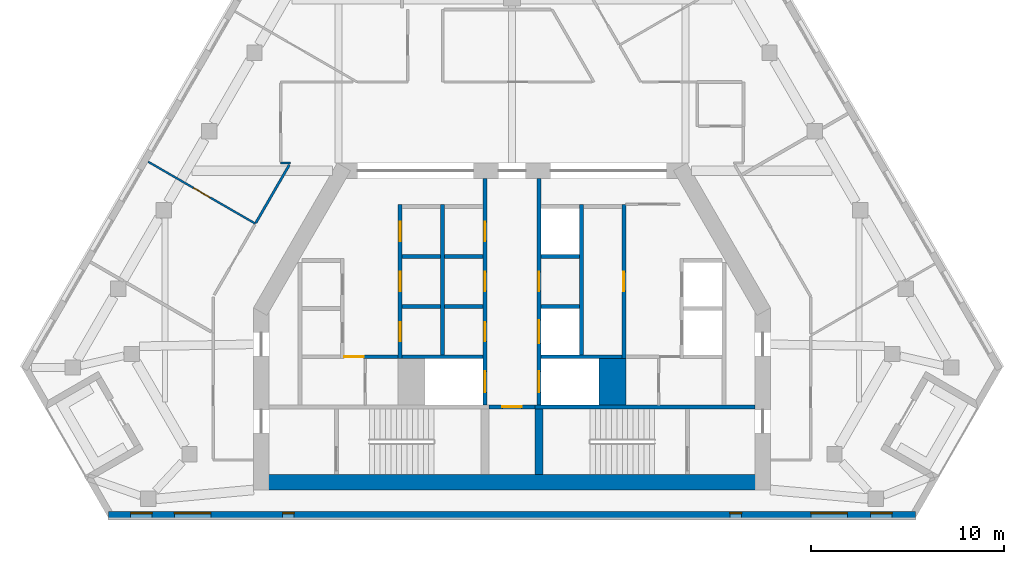
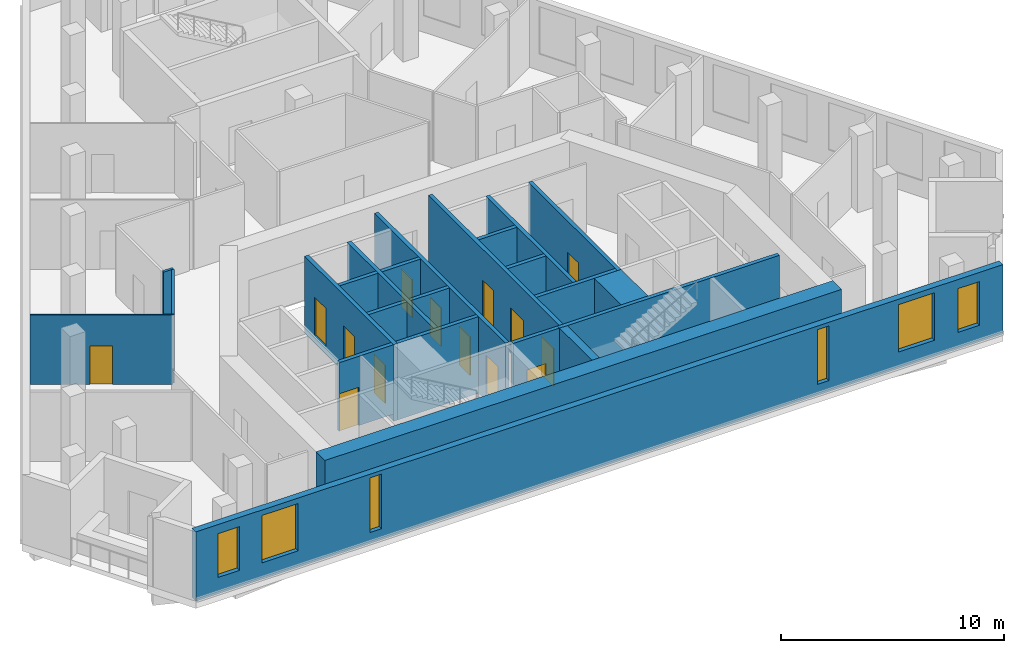
# One storey, part 3 of 9: 24 walls, 14 doors, 6 windows, 20 openings.
"""IFC4 building model written with IfcOpenShell, lengths in metres."""

from ifc_helpers import new_model, si_unit, direction, frame, frame_2d, origin, place, context, subcontext, project, spatial, rectangle, extrude, material, layer, layer_set, type_object, element, fill, save


model = new_model("IFC4")

# Units and contexts
model_context = context("Model", 3, precision=1e-05, world=origin(), true_north=direction((0.0, 1.0)))
body_context = subcontext(model_context, "Body", "Model", "MODEL_VIEW")
ifc_project = project(units=[si_unit("LENGTHUNIT", "METRE"), si_unit("AREAUNIT", "SQUARE_METRE"), si_unit("VOLUMEUNIT", "CUBIC_METRE"), si_unit("PLANEANGLEUNIT", "RADIAN"), si_unit("MASSUNIT", "GRAM", prefix="KILO")], contexts=[model_context])

# Site, building, storey
site_placement = place(None, origin())
site = spatial("IfcSite", under=ifc_project, at=site_placement, CompositionType="ELEMENT")
building_placement = place(site_placement, origin())
building = spatial("IfcBuilding", under=site, at=building_placement, Name="Fogline Exchange Tower", CompositionType="ELEMENT")
storey_placement = place(building_placement, frame((0.0, 0.0, 283.5)))
storey = spatial("IfcBuildingStorey", under=building, at=storey_placement, Name="L64", CompositionType="ELEMENT", Elevation=283.5)

# Walls
ifc_material_1 = material(Name="Concrete C60", Category="concrete")
ifc_layer_1 = layer(ifc_material_1, 1.39990234375)
ifc_layer_set_1 = layer_set([ifc_layer_1], Name="CW140")
wall_type_1 = type_object("IfcWallType", Name="CW140", PredefinedType="SOLIDWALL", material=ifc_layer_set_1)
wall_1_placement = place(storey_placement, frame((5.199951171875, 5.85009765625, -0.39990234375), z_axis=(0.0, 0.0, 1.0), x_axis=(0.0, 1.0, 0.0)))
element("IfcWall", 1, at=wall_1_placement, inside=storey, type_object=wall_type_1, Name="Lift shaft block wall", PredefinedType="SOLIDWALL", context=body_context, shape_type="SweptSolid", body=[
    extrude(rectangle(XDim=2.39990234375, YDim=1.39990234375, at=frame_2d((1.199951171875, 0.0))), origin(), (0.0, 0.0, 1.0), 4.199951171875),
])
ifc_material_2 = material(Name="Concrete C40", Category="concrete")
ifc_layer_2 = layer(ifc_material_2, 0.199951171875)
ifc_layer_set_2 = layer_set([ifc_layer_2], Name="CW20")
wall_type_2 = type_object("IfcWallType", Name="CW20", PredefinedType="SOLIDWALL", material=ifc_layer_set_2)
for number, where, z_axis, x_axis, name in (
    (2, (-5.699951171875, 10.949951171875, 0.0), (0.0, 0.0, 1.0), (1.0, 0.0, 0.0), "Service room wall"),
    (3, (-5.699951171875, 13.550048828125, 0.0), (0.0, 0.0, 1.0), (1.0, 0.0, 0.0), "Service room wall"),
    (4, (-3.5, 10.949951171875, 0.0), (0.0, 0.0, 1.0), (1.0, 0.0, 0.0), "Service room wall"),
    (5, (-3.5, 13.550048828125, 0.0), (0.0, 0.0, 1.0), (1.0, 0.0, 0.0), "Service room wall"),
):
    element("IfcWall", number, at=place(storey_placement, frame(where, z_axis=z_axis, x_axis=x_axis)), inside=storey, type_object=wall_type_2, Name=name, PredefinedType="SOLIDWALL", context=body_context, shape_type="SweptSolid", body=[
        extrude(rectangle(XDim=2.0, YDim=0.199951171875, at=frame_2d((1.0, 0.0))), origin(), (0.0, 0.0, 1.0), 3.800048828125),
    ])

# Wall, opening, door
wall_2_placement = place(storey_placement, frame((-8.699951171875, 8.35009765625, 0.0), z_axis=(0.0, 0.0, 1.0), x_axis=(1.0, 0.0, 0.0)))
wall_2 = element("IfcWall", 6, at=wall_2_placement, inside=storey, type_object=wall_type_2, Name="WC wall", PredefinedType="SOLIDWALL", context=body_context, shape_type="SweptSolid", body=[
    extrude(rectangle(XDim=2.800048828125, YDim=0.199951171875, at=frame_2d((1.39990234375, 0.0))), origin(), (0.0, 0.0, 1.0), 3.800048828125),
])
opening_1_placement = place(wall_2_placement, origin())
opening_1 = element("IfcOpeningElement", 7, at=opening_1_placement, cuts=wall_2, Name="Opening T20-C012", PredefinedType="OPENING", context=body_context, shape_type="SweptSolid", body=[
    extrude(rectangle(XDim=1.0, YDim=2.10009765625, at=frame_2d((0.5, 1.050048828125))), frame((0.0, 0.10986328125, 0.0), z_axis=(0.0, -1.0, 0.0), x_axis=(1.0, 0.0, 0.0)), (0.0, 0.0, 1.0), 0.219970703125),
])
ifc_material_3 = material(Name="Steel and timber fire door", Category="steel")
door_type_1 = type_object("IfcDoorType", Name="D-WC1", OperationType="SINGLE_SWING_LEFT", PredefinedType="DOOR", material=ifc_material_3)
door_1_placement = place(opening_1_placement, frame((1.0, 0.0, 0.0), z_axis=(0.0, 0.0, 1.0), x_axis=(-1.0, 0.0, 0.0)))
door_1 = element("IfcDoor", 8, at=door_1_placement, inside=storey, type_object=door_type_1, Name="Door to Men's WC", OperationType="SINGLE_SWING_LEFT", OverallHeight=2.10009765625, OverallWidth=1.0, PredefinedType="DOOR", context=body_context, shape_type="SweptSolid", body=[
    extrude(rectangle(XDim=1.0, YDim=2.10009765625, at=frame_2d((0.5, 1.050048828125))), frame((0.0, 0.02490234375, 0.0), z_axis=(0.0, -1.0, 0.0), x_axis=(1.0, 0.0, 0.0)), (0.0, 0.0, 1.0), 0.050048828125),
])
fill(opening_1, door_1)

ifc_layer_3 = layer(ifc_material_2, 0.199951171875)
ifc_layer_set_3 = layer_set([ifc_layer_3], Name="CW20R")
wall_type_3 = type_object("IfcWallType", Name="CW20R", PredefinedType="SOLIDWALL", material=ifc_layer_set_3)
wall_3_placement = place(storey_placement, frame((-1.199951171875, 5.75, -0.39990234375), z_axis=(0.0, 0.0, 1.0), x_axis=(1.0, 0.0, 0.0)))
wall_3 = element("IfcWall", 9, at=wall_3_placement, inside=storey, type_object=wall_type_3, Name="Stair enclosure wall", PredefinedType="SOLIDWALL", context=body_context, shape_type="SweptSolid", body=[
    extrude(rectangle(XDim=2.39990234375, YDim=0.199951171875, at=frame_2d((1.199951171875, 0.0))), origin(), (0.0, 0.0, 1.0), 4.199951171875),
])
opening_2_placement = place(wall_3_placement, frame((0.699951171875, 0.0, 0.39990234375)))
opening_2 = element("IfcOpeningElement", 10, at=opening_2_placement, cuts=wall_3, Name="Opening T20-C011", PredefinedType="OPENING", context=body_context, shape_type="SweptSolid", body=[
    extrude(rectangle(XDim=1.0, YDim=2.10009765625, at=frame_2d((0.5, 1.050048828125))), frame((0.0, 0.10986328125, 0.0), z_axis=(0.0, -1.0, 0.0), x_axis=(1.0, 0.0, 0.0)), (0.0, 0.0, 1.0), 0.219970703125),
])
door_type_2 = type_object("IfcDoorType", Name="D-RM1", OperationType="SINGLE_SWING_LEFT", PredefinedType="DOOR", material=ifc_material_3)
door_2_placement = place(opening_2_placement, frame((1.0, 0.0, 0.0), z_axis=(0.0, 0.0, 1.0), x_axis=(-1.0, 0.0, 0.0)))
door_2 = element("IfcDoor", 11, at=door_2_placement, inside=storey, type_object=door_type_2, Name="Door to Library Store", OperationType="SINGLE_SWING_RIGHT", OverallHeight=2.10009765625, OverallWidth=1.0, PredefinedType="DOOR", context=body_context, shape_type="SweptSolid", body=[
    extrude(rectangle(XDim=1.0, YDim=2.10009765625, at=frame_2d((0.5, 1.050048828125))), frame((0.0, 0.02490234375, 0.0), z_axis=(0.0, -1.0, 0.0), x_axis=(1.0, 0.0, 0.0)), (0.0, 0.0, 1.0), 0.050048828125),
])
fill(opening_2, door_2)

# Wall
wall_4_placement = place(storey_placement, frame((1.199951171875, 5.75, -0.39990234375), z_axis=(0.0, 0.0, 1.0), x_axis=(1.0, 0.0, 0.0)))
element("IfcWall", 12, at=wall_4_placement, inside=storey, type_object=wall_type_3, Name="Stair enclosure wall", PredefinedType="SOLIDWALL", context=body_context, shape_type="SweptSolid", body=[
    extrude(rectangle(XDim=11.400146484375, YDim=0.199951171875, at=frame_2d((5.7001953125, 0.0))), origin(), (0.0, 0.0, 1.0), 4.199951171875),
])

# Wall, openings, doors
ifc_layer_4 = layer(ifc_material_2, 0.199951171875)
ifc_layer_set_4 = layer_set([ifc_layer_4], Name="CW20S")
wall_type_4 = type_object("IfcWallType", Name="CW20S", PredefinedType="SOLIDWALL", material=ifc_layer_set_4)
wall_5_placement = place(storey_placement, frame((-5.800048828125, 8.25, -0.39990234375), z_axis=(0.0, 0.0, 1.0), x_axis=(0.0, 1.0, 0.0)))
wall_5 = element("IfcWall", 13, at=wall_5_placement, inside=storey, type_object=wall_type_4, Name="Lift shaft wall", PredefinedType="SOLIDWALL", context=body_context, shape_type="SweptSolid", body=[
    extrude(rectangle(XDim=8.0, YDim=0.199951171875, at=frame_2d((4.0, 0.0))), origin(), (0.0, 0.0, 1.0), 4.199951171875),
])
opening_3_placement = place(wall_5_placement, frame((0.89990234375, 0.0, 0.39990234375)))
opening_3 = element("IfcOpeningElement", 14, at=opening_3_placement, cuts=wall_5, Name="Opening T20-C003", PredefinedType="OPENING", context=body_context, shape_type="SweptSolid", body=[
    extrude(rectangle(XDim=1.0, YDim=2.10009765625, at=frame_2d((0.5, 1.050048828125))), frame((0.0, 0.10986328125, 0.0), z_axis=(0.0, -1.0, 0.0), x_axis=(1.0, 0.0, 0.0)), (0.0, 0.0, 1.0), 0.219970703125),
])
opening_4_placement = place(wall_5_placement, frame((3.5, 0.0, 0.39990234375)))
opening_4 = element("IfcOpeningElement", 15, at=opening_4_placement, cuts=wall_5, Name="Opening T20-C004", PredefinedType="OPENING", context=body_context, shape_type="SweptSolid", body=[
    extrude(rectangle(XDim=1.0, YDim=2.10009765625, at=frame_2d((0.5, 1.050048828125))), frame((0.0, 0.10986328125, 0.0), z_axis=(0.0, -1.0, 0.0), x_axis=(1.0, 0.0, 0.0)), (0.0, 0.0, 1.0), 0.219970703125),
])
opening_5_placement = place(wall_5_placement, frame((6.10009765625, 0.0, 0.39990234375)))
opening_5 = element("IfcOpeningElement", 16, at=opening_5_placement, cuts=wall_5, Name="Opening T20-C005", PredefinedType="OPENING", context=body_context, shape_type="SweptSolid", body=[
    extrude(rectangle(XDim=1.0, YDim=2.10009765625, at=frame_2d((0.5, 1.050048828125))), frame((0.0, 0.10986328125, 0.0), z_axis=(0.0, -1.0, 0.0), x_axis=(1.0, 0.0, 0.0)), (0.0, 0.0, 1.0), 0.219970703125),
])
door_3_placement = place(opening_3_placement, frame((1.0, 0.0, 0.0), z_axis=(0.0, 0.0, 1.0), x_axis=(-1.0, 0.0, 0.0)))
door_3 = element("IfcDoor", 17, at=door_3_placement, inside=storey, type_object=door_type_2, Name="Door to Cable Store", OperationType="SINGLE_SWING_LEFT", OverallHeight=2.10009765625, OverallWidth=1.0, PredefinedType="DOOR", context=body_context, shape_type="SweptSolid", body=[
    extrude(rectangle(XDim=1.0, YDim=2.10009765625, at=frame_2d((0.5, 1.050048828125))), frame((0.0, 0.02490234375, 0.0), z_axis=(0.0, -1.0, 0.0), x_axis=(1.0, 0.0, 0.0)), (0.0, 0.0, 1.0), 0.050048828125),
])
fill(opening_3, door_3)
door_4_placement = place(opening_4_placement, frame((1.0, 0.0, 0.0), z_axis=(0.0, 0.0, 1.0), x_axis=(-1.0, 0.0, 0.0)))
door_4 = element("IfcDoor", 18, at=door_4_placement, inside=storey, type_object=door_type_2, Name="Door to Server Room", OperationType="SINGLE_SWING_RIGHT", OverallHeight=2.10009765625, OverallWidth=1.0, PredefinedType="DOOR", context=body_context, shape_type="SweptSolid", body=[
    extrude(rectangle(XDim=1.0, YDim=2.10009765625, at=frame_2d((0.5, 1.050048828125))), frame((0.0, 0.02490234375, 0.0), z_axis=(0.0, -1.0, 0.0), x_axis=(1.0, 0.0, 0.0)), (0.0, 0.0, 1.0), 0.050048828125),
])
fill(opening_4, door_4)
door_5_placement = place(opening_5_placement, frame((1.0, 0.0, 0.0), z_axis=(0.0, 0.0, 1.0), x_axis=(-1.0, 0.0, 0.0)))
door_5 = element("IfcDoor", 19, at=door_5_placement, inside=storey, type_object=door_type_2, Name="Door to Archive Store", OperationType="SINGLE_SWING_RIGHT", OverallHeight=2.10009765625, OverallWidth=1.0, PredefinedType="DOOR", context=body_context, shape_type="SweptSolid", body=[
    extrude(rectangle(XDim=1.0, YDim=2.10009765625, at=frame_2d((0.5, 1.050048828125))), frame((0.0, 0.02490234375, 0.0), z_axis=(0.0, -1.0, 0.0), x_axis=(1.0, 0.0, 0.0)), (0.0, 0.0, 1.0), 0.050048828125),
])
fill(opening_5, door_5)

# Wall, opening, door
wall_6_placement = place(storey_placement, frame((5.800048828125, 8.25, -0.39990234375), z_axis=(0.0, 0.0, 1.0), x_axis=(0.0, 1.0, 0.0)))
wall_6 = element("IfcWall", 20, at=wall_6_placement, inside=storey, type_object=wall_type_4, Name="Lift shaft wall", PredefinedType="SOLIDWALL", context=body_context, shape_type="SweptSolid", body=[
    extrude(rectangle(XDim=8.0, YDim=0.199951171875, at=frame_2d((4.0, 0.0))), origin(), (0.0, 0.0, 1.0), 4.199951171875),
])
opening_6_placement = place(wall_6_placement, frame((3.5, 0.0, 0.39990234375)))
opening_6 = element("IfcOpeningElement", 21, at=opening_6_placement, cuts=wall_6, Name="Opening T20-C009", PredefinedType="OPENING", context=body_context, shape_type="SweptSolid", body=[
    extrude(rectangle(XDim=1.0, YDim=2.10009765625, at=frame_2d((0.5, 1.050048828125))), frame((0.0, 0.10986328125, 0.0), z_axis=(0.0, -1.0, 0.0), x_axis=(1.0, 0.0, 0.0)), (0.0, 0.0, 1.0), 0.219970703125),
])
door_6_placement = place(opening_6_placement, origin())
door_6 = element("IfcDoor", 22, at=door_6_placement, inside=storey, type_object=door_type_2, Name="Door to Pantry", OperationType="SINGLE_SWING_LEFT", OverallHeight=2.10009765625, OverallWidth=1.0, PredefinedType="DOOR", context=body_context, shape_type="SweptSolid", body=[
    extrude(rectangle(XDim=1.0, YDim=2.10009765625, at=frame_2d((0.5, 1.050048828125))), frame((0.0, 0.02490234375, 0.0), z_axis=(0.0, -1.0, 0.0), x_axis=(1.0, 0.0, 0.0)), (0.0, 0.0, 1.0), 0.050048828125),
])
fill(opening_6, door_6)

# Walls
for number, where, z_axis, x_axis, name in (
    (23, (-3.60009765625, 8.449951171875, -0.39990234375), (0.0, 0.0, 1.0), (0.0, 1.0, 0.0), "Lift shaft wall"),
    (24, (3.60009765625, 8.449951171875, -0.39990234375), (0.0, 0.0, 1.0), (0.0, 1.0, 0.0), "Lift shaft wall"),
):
    element("IfcWall", number, at=place(storey_placement, frame(where, z_axis=z_axis, x_axis=x_axis)), inside=storey, type_object=wall_type_4, Name=name, PredefinedType="SOLIDWALL", context=body_context, shape_type="SweptSolid", body=[
        extrude(rectangle(XDim=7.800048828125, YDim=0.199951171875, at=frame_2d((3.89990234375, 0.0))), origin(), (0.0, 0.0, 1.0), 4.199951171875),
    ])

# Wall, openings, doors
wall_7_placement = place(storey_placement, frame((-1.39990234375, 5.85009765625, -0.39990234375), z_axis=(0.0, 0.0, 1.0), x_axis=(0.0, 1.0, 0.0)))
wall_7 = element("IfcWall", 25, at=wall_7_placement, inside=storey, type_object=wall_type_4, Name="Lift lobby wall", PredefinedType="SOLIDWALL", context=body_context, shape_type="SweptSolid", body=[
    extrude(rectangle(XDim=11.75, YDim=0.199951171875, at=frame_2d((5.875, 0.0))), origin(), (0.0, 0.0, 1.0), 4.199951171875),
])
opening_7_placement = place(wall_7_placement, frame((0.64990234375, 0.0, 0.39990234375)))
opening_7 = element("IfcOpeningElement", 26, at=opening_7_placement, cuts=wall_7, Name="Opening T20-LD01", PredefinedType="OPENING", context=body_context, shape_type="SweptSolid", body=[
    extrude(rectangle(XDim=1.10009765625, YDim=2.10009765625, at=frame_2d((0.550048828125, 1.050048828125))), frame((0.0, 0.10986328125, 0.0), z_axis=(0.0, -1.0, 0.0), x_axis=(1.0, 0.0, 0.0)), (0.0, 0.0, 1.0), 0.219970703125),
])
opening_8_placement = place(wall_7_placement, frame((3.300048828125, 0.0, 0.39990234375)))
opening_8 = element("IfcOpeningElement", 27, at=opening_8_placement, cuts=wall_7, Name="Opening T20-C006", PredefinedType="OPENING", context=body_context, shape_type="SweptSolid", body=[
    extrude(rectangle(XDim=1.0, YDim=2.10009765625, at=frame_2d((0.5, 1.050048828125))), frame((0.0, 0.10986328125, 0.0), z_axis=(0.0, -1.0, 0.0), x_axis=(1.0, 0.0, 0.0)), (0.0, 0.0, 1.0), 0.219970703125),
])
opening_9_placement = place(wall_7_placement, frame((5.89990234375, 0.0, 0.39990234375)))
opening_9 = element("IfcOpeningElement", 28, at=opening_9_placement, cuts=wall_7, Name="Opening T20-C007", PredefinedType="OPENING", context=body_context, shape_type="SweptSolid", body=[
    extrude(rectangle(XDim=1.0, YDim=2.10009765625, at=frame_2d((0.5, 1.050048828125))), frame((0.0, 0.10986328125, 0.0), z_axis=(0.0, -1.0, 0.0), x_axis=(1.0, 0.0, 0.0)), (0.0, 0.0, 1.0), 0.219970703125),
])
opening_10_placement = place(wall_7_placement, frame((8.5, 0.0, 0.39990234375)))
opening_10 = element("IfcOpeningElement", 29, at=opening_10_placement, cuts=wall_7, Name="Opening T20-C008", PredefinedType="OPENING", context=body_context, shape_type="SweptSolid", body=[
    extrude(rectangle(XDim=1.0, YDim=2.10009765625, at=frame_2d((0.5, 1.050048828125))), frame((0.0, 0.10986328125, 0.0), z_axis=(0.0, -1.0, 0.0), x_axis=(1.0, 0.0, 0.0)), (0.0, 0.0, 1.0), 0.219970703125),
])
door_7_placement = place(opening_8_placement, origin())
door_7 = element("IfcDoor", 30, at=door_7_placement, inside=storey, type_object=door_type_2, Name="Door to Library Store", OperationType="SINGLE_SWING_LEFT", OverallHeight=2.10009765625, OverallWidth=1.0, PredefinedType="DOOR", context=body_context, shape_type="SweptSolid", body=[
    extrude(rectangle(XDim=1.0, YDim=2.10009765625, at=frame_2d((0.5, 1.050048828125))), frame((0.0, 0.02490234375, 0.0), z_axis=(0.0, -1.0, 0.0), x_axis=(1.0, 0.0, 0.0)), (0.0, 0.0, 1.0), 0.050048828125),
])
fill(opening_8, door_7)
door_8_placement = place(opening_9_placement, origin())
door_8 = element("IfcDoor", 31, at=door_8_placement, inside=storey, type_object=door_type_2, Name="Door to Stationery Store", OperationType="SINGLE_SWING_LEFT", OverallHeight=2.10009765625, OverallWidth=1.0, PredefinedType="DOOR", context=body_context, shape_type="SweptSolid", body=[
    extrude(rectangle(XDim=1.0, YDim=2.10009765625, at=frame_2d((0.5, 1.050048828125))), frame((0.0, 0.02490234375, 0.0), z_axis=(0.0, -1.0, 0.0), x_axis=(1.0, 0.0, 0.0)), (0.0, 0.0, 1.0), 0.050048828125),
])
fill(opening_9, door_8)
door_9_placement = place(opening_10_placement, origin())
door_9 = element("IfcDoor", 32, at=door_9_placement, inside=storey, type_object=door_type_2, Name="Door to Records Store", OperationType="SINGLE_SWING_LEFT", OverallHeight=2.10009765625, OverallWidth=1.0, PredefinedType="DOOR", context=body_context, shape_type="SweptSolid", body=[
    extrude(rectangle(XDim=1.0, YDim=2.10009765625, at=frame_2d((0.5, 1.050048828125))), frame((0.0, 0.02490234375, 0.0), z_axis=(0.0, -1.0, 0.0), x_axis=(1.0, 0.0, 0.0)), (0.0, 0.0, 1.0), 0.050048828125),
])
fill(opening_10, door_9)
door_type_3 = type_object("IfcDoorType", Name="LD2", OperationType="SLIDING_TO_RIGHT", PredefinedType="DOOR", material=ifc_material_3)
door_10_placement = place(opening_7_placement, origin())
door_10 = element("IfcDoor", 33, at=door_10_placement, inside=storey, type_object=door_type_3, Name="Landing door FF1", OperationType="SLIDING_TO_RIGHT", OverallHeight=2.10009765625, OverallWidth=1.10009765625, PredefinedType="DOOR", context=body_context, shape_type="SweptSolid", body=[
    extrude(rectangle(XDim=1.10009765625, YDim=2.10009765625, at=frame_2d((0.550048828125, 1.050048828125))), frame((0.0, 0.02490234375, 0.0), z_axis=(0.0, -1.0, 0.0), x_axis=(1.0, 0.0, 0.0)), (0.0, 0.0, 1.0), 0.050048828125),
])
fill(opening_7, door_10)

wall_8_placement = place(storey_placement, frame((1.39990234375, 5.85009765625, -0.39990234375), z_axis=(0.0, 0.0, 1.0), x_axis=(0.0, 1.0, 0.0)))
wall_8 = element("IfcWall", 34, at=wall_8_placement, inside=storey, type_object=wall_type_4, Name="Lift lobby wall", PredefinedType="SOLIDWALL", context=body_context, shape_type="SweptSolid", body=[
    extrude(rectangle(XDim=11.75, YDim=0.199951171875, at=frame_2d((5.875, 0.0))), origin(), (0.0, 0.0, 1.0), 4.199951171875),
])
opening_11_placement = place(wall_8_placement, frame((3.199951171875, 0.0, 0.39990234375)))
opening_11 = element("IfcOpeningElement", 35, at=opening_11_placement, cuts=wall_8, Name="Opening T20-LD04", PredefinedType="OPENING", context=body_context, shape_type="SweptSolid", body=[
    extrude(rectangle(XDim=1.199951171875, YDim=2.10009765625, at=frame_2d((0.60009765625, 1.050048828125))), frame((0.0, 0.10986328125, 0.0), z_axis=(0.0, -1.0, 0.0), x_axis=(1.0, 0.0, 0.0)), (0.0, 0.0, 1.0), 0.219970703125),
])
opening_12_placement = place(wall_8_placement, frame((0.64990234375, 0.0, 0.39990234375)))
opening_12 = element("IfcOpeningElement", 36, at=opening_12_placement, cuts=wall_8, Name="Opening T20-LD05", PredefinedType="OPENING", context=body_context, shape_type="SweptSolid", body=[
    extrude(rectangle(XDim=1.10009765625, YDim=2.10009765625, at=frame_2d((0.550048828125, 1.050048828125))), frame((0.0, 0.10986328125, 0.0), z_axis=(0.0, -1.0, 0.0), x_axis=(1.0, 0.0, 0.0)), (0.0, 0.0, 1.0), 0.219970703125),
])
opening_13_placement = place(wall_8_placement, frame((5.89990234375, 0.0, 0.39990234375)))
opening_13 = element("IfcOpeningElement", 37, at=opening_13_placement, cuts=wall_8, Name="Opening T20-C010", PredefinedType="OPENING", context=body_context, shape_type="SweptSolid", body=[
    extrude(rectangle(XDim=1.0, YDim=2.10009765625, at=frame_2d((0.5, 1.050048828125))), frame((0.0, 0.10986328125, 0.0), z_axis=(0.0, -1.0, 0.0), x_axis=(1.0, 0.0, 0.0)), (0.0, 0.0, 1.0), 0.219970703125),
])
door_11_placement = place(opening_13_placement, frame((1.0, 0.0, 0.0), z_axis=(0.0, 0.0, 1.0), x_axis=(-1.0, 0.0, 0.0)))
door_11 = element("IfcDoor", 38, at=door_11_placement, inside=storey, type_object=door_type_2, Name="Door to Archive Store", OperationType="SINGLE_SWING_RIGHT", OverallHeight=2.10009765625, OverallWidth=1.0, PredefinedType="DOOR", context=body_context, shape_type="SweptSolid", body=[
    extrude(rectangle(XDim=1.0, YDim=2.10009765625, at=frame_2d((0.5, 1.050048828125))), frame((0.0, 0.02490234375, 0.0), z_axis=(0.0, -1.0, 0.0), x_axis=(1.0, 0.0, 0.0)), (0.0, 0.0, 1.0), 0.050048828125),
])
fill(opening_13, door_11)
door_type_4 = type_object("IfcDoorType", Name="LD1", OperationType="SLIDING_TO_LEFT", PredefinedType="DOOR", material=ifc_material_3)
door_12_placement = place(opening_11_placement, origin())
door_12 = element("IfcDoor", 39, at=door_12_placement, inside=storey, type_object=door_type_4, Name="Landing door HR3", OperationType="SLIDING_TO_LEFT", OverallHeight=2.10009765625, OverallWidth=1.199951171875, PredefinedType="DOOR", context=body_context, shape_type="SweptSolid", body=[
    extrude(rectangle(XDim=1.199951171875, YDim=2.10009765625, at=frame_2d((0.60009765625, 1.050048828125))), frame((0.0, 0.02490234375, 0.0), z_axis=(0.0, -1.0, 0.0), x_axis=(1.0, 0.0, 0.0)), (0.0, 0.0, 1.0), 0.050048828125),
])
fill(opening_11, door_12)
door_13_placement = place(opening_12_placement, origin())
door_13 = element("IfcDoor", 40, at=door_13_placement, inside=storey, type_object=door_type_3, Name="Landing door FF2", OperationType="SLIDING_TO_RIGHT", OverallHeight=2.10009765625, OverallWidth=1.10009765625, PredefinedType="DOOR", context=body_context, shape_type="SweptSolid", body=[
    extrude(rectangle(XDim=1.10009765625, YDim=2.10009765625, at=frame_2d((0.550048828125, 1.050048828125))), frame((0.0, 0.02490234375, 0.0), z_axis=(0.0, -1.0, 0.0), x_axis=(1.0, 0.0, 0.0)), (0.0, 0.0, 1.0), 0.050048828125),
])
fill(opening_12, door_13)

# Walls
for number, where, z_axis, x_axis, name in (
    (41, (-5.699951171875, 8.35009765625, -0.39990234375), (0.0, 0.0, 1.0), (1.0, 0.0, 0.0), "Lift shaft wall"),
    (42, (1.5, 8.35009765625, -0.39990234375), (0.0, 0.0, 1.0), (1.0, 0.0, 0.0), "Lift shaft wall"),
):
    element("IfcWall", number, at=place(storey_placement, frame(where, z_axis=z_axis, x_axis=x_axis)), inside=storey, type_object=wall_type_4, Name=name, PredefinedType="SOLIDWALL", context=body_context, shape_type="SweptSolid", body=[
        extrude(rectangle(XDim=4.199951171875, YDim=0.199951171875, at=frame_2d((2.10009765625, 0.0))), origin(), (0.0, 0.0, 1.0), 4.199951171875),
    ])
for number, where, z_axis, x_axis, name in (
    (43, (1.5, 10.949951171875, -0.39990234375), (0.0, 0.0, 1.0), (1.0, 0.0, 0.0), "Lift shaft wall"),
    (44, (1.5, 13.550048828125, -0.39990234375), (0.0, 0.0, 1.0), (1.0, 0.0, 0.0), "Lift shaft wall"),
):
    element("IfcWall", number, at=place(storey_placement, frame(where, z_axis=z_axis, x_axis=x_axis)), inside=storey, type_object=wall_type_4, Name=name, PredefinedType="SOLIDWALL", context=body_context, shape_type="SweptSolid", body=[
        extrude(rectangle(XDim=2.0, YDim=0.199951171875, at=frame_2d((1.0, 0.0))), origin(), (0.0, 0.0, 1.0), 4.199951171875),
    ])
ifc_layer_5 = layer(ifc_material_2, 0.39990234375)
ifc_layer_set_5 = layer_set([ifc_layer_5], Name="CW40R")
wall_type_5 = type_object("IfcWallType", Name="CW40R", PredefinedType="SOLIDWALL", material=ifc_layer_set_5)
wall_9_placement = place(storey_placement, frame((1.39990234375, 2.25, -0.39990234375), z_axis=(0.0, 0.0, 1.0), x_axis=(0.0, 1.0, 0.0)))
element("IfcWall", 45, at=wall_9_placement, inside=storey, type_object=wall_type_5, Name="Stair and lift shaft wall", PredefinedType="SOLIDWALL", context=body_context, shape_type="SweptSolid", body=[
    extrude(rectangle(XDim=3.39990234375, YDim=0.39990234375, at=frame_2d((1.699951171875, 0.0))), origin(), (0.0, 0.0, 1.0), 4.199951171875),
])

# Wall, openings, windows
ifc_material_4 = material(Name="Brick masonry", Category="masonry")
ifc_layer_6 = layer(ifc_material_4, 0.340087890625)
ifc_layer_set_6 = layer_set([ifc_layer_6], Name="FW1")
wall_type_6 = type_object("IfcWallType", Name="FW1", PredefinedType="SOLIDWALL", material=ifc_layer_set_6)
wall_10_placement = place(storey_placement, frame((-20.924560546875, 0.169921875, 0.0), z_axis=(0.0, 0.0, 1.0), x_axis=(1.0, 0.0, 0.0)))
wall_10 = element("IfcWall", 46, at=wall_10_placement, inside=storey, type_object=wall_type_6, Name="Brick wall L64 S", PredefinedType="SOLIDWALL", context=body_context, shape_type="SweptSolid", body=[
    extrude(rectangle(XDim=41.84912109375, YDim=0.340087890625, at=frame_2d((20.924560546875, 0.0))), origin(), (0.0, 0.0, 1.0), 3.800048828125),
])
opening_14_placement = place(wall_10_placement, frame((3.424560546875, 0.0, 0.89990234375)))
opening_14 = element("IfcOpeningElement", 47, at=opening_14_placement, cuts=wall_10, Name="Opening W3", PredefinedType="OPENING", context=body_context, shape_type="SweptSolid", body=[
    extrude(rectangle(XDim=1.885009765625, YDim=2.60009765625, at=frame_2d((0.9423828125, 1.300048828125))), frame((0.0, 0.18017578125, 0.0), z_axis=(0.0, -1.0, 0.0), x_axis=(1.0, 0.0, 0.0)), (0.0, 0.0, 1.0), 0.360107421875),
])
opening_15_placement = place(wall_10_placement, frame((36.424560546875, 0.0, 0.89990234375)))
opening_15 = element("IfcOpeningElement", 48, at=opening_15_placement, cuts=wall_10, Name="Opening W3", PredefinedType="OPENING", context=body_context, shape_type="SweptSolid", body=[
    extrude(rectangle(XDim=1.885009765625, YDim=2.60009765625, at=frame_2d((0.9423828125, 1.300048828125))), frame((0.0, 0.18017578125, 0.0), z_axis=(0.0, -1.0, 0.0), x_axis=(1.0, 0.0, 0.0)), (0.0, 0.0, 1.0), 0.360107421875),
])
opening_16_placement = place(wall_10_placement, frame((1.15478515625, 0.0, 0.89990234375)))
opening_16 = element("IfcOpeningElement", 49, at=opening_16_placement, cuts=wall_10, Name="Opening W4", PredefinedType="OPENING", context=body_context, shape_type="SweptSolid", body=[
    extrude(rectangle(XDim=1.114990234375, YDim=2.39990234375, at=frame_2d((0.5576171875, 1.199951171875))), frame((0.0, 0.18017578125, 0.0), z_axis=(0.0, -1.0, 0.0), x_axis=(1.0, 0.0, 0.0)), (0.0, 0.0, 1.0), 0.360107421875),
])
opening_17_placement = place(wall_10_placement, frame((39.52197265625, 0.0, 0.89990234375)))
opening_17 = element("IfcOpeningElement", 50, at=opening_17_placement, cuts=wall_10, Name="Opening W4", PredefinedType="OPENING", context=body_context, shape_type="SweptSolid", body=[
    extrude(rectangle(XDim=1.114990234375, YDim=2.39990234375, at=frame_2d((0.5576171875, 1.199951171875))), frame((0.0, 0.18017578125, 0.0), z_axis=(0.0, -1.0, 0.0), x_axis=(1.0, 0.0, 0.0)), (0.0, 0.0, 1.0), 0.360107421875),
])
opening_18_placement = place(wall_10_placement, frame((9.024658203125, 0.0, 0.60009765625)))
opening_18 = element("IfcOpeningElement", 51, at=opening_18_placement, cuts=wall_10, Name="Opening W5", PredefinedType="OPENING", context=body_context, shape_type="SweptSolid", body=[
    extrude(rectangle(XDim=0.60009765625, YDim=3.0, at=frame_2d((0.300048828125, 1.5))), frame((0.0, 0.18017578125, 0.0), z_axis=(0.0, -1.0, 0.0), x_axis=(1.0, 0.0, 0.0)), (0.0, 0.0, 1.0), 0.360107421875),
])
opening_19_placement = place(wall_10_placement, frame((32.224609375, 0.0, 0.60009765625)))
opening_19 = element("IfcOpeningElement", 52, at=opening_19_placement, cuts=wall_10, Name="Opening W5", PredefinedType="OPENING", context=body_context, shape_type="SweptSolid", body=[
    extrude(rectangle(XDim=0.60009765625, YDim=3.0, at=frame_2d((0.300048828125, 1.5))), frame((0.0, 0.18017578125, 0.0), z_axis=(0.0, -1.0, 0.0), x_axis=(1.0, 0.0, 0.0)), (0.0, 0.0, 1.0), 0.360107421875),
])
ifc_material_5 = material(Name="Aluminium and glass", Category="aluminium")
window_type_1 = type_object("IfcWindowType", Name="W3", PartitioningType="SINGLE_PANEL", PredefinedType="WINDOW", material=ifc_material_5)
window_1_placement = place(opening_14_placement, origin())
window_1 = element("IfcWindow", 53, at=window_1_placement, inside=storey, type_object=window_type_1, Name="W3 W3", OverallHeight=2.60009765625, OverallWidth=1.885009765625, PartitioningType="SINGLE_PANEL", PredefinedType="WINDOW", context=body_context, shape_type="SweptSolid", body=[
    extrude(rectangle(XDim=1.885009765625, YDim=2.60009765625, at=frame_2d((0.9423828125, 1.300048828125))), frame((0.0, 0.110107421875, 0.0), z_axis=(0.0, -1.0, 0.0), x_axis=(1.0, 0.0, 0.0)), (0.0, 0.0, 1.0), 0.06005859375),
])
fill(opening_14, window_1)
window_2_placement = place(opening_15_placement, origin())
window_2 = element("IfcWindow", 54, at=window_2_placement, inside=storey, type_object=window_type_1, Name="W3 W3", OverallHeight=2.60009765625, OverallWidth=1.885009765625, PartitioningType="SINGLE_PANEL", PredefinedType="WINDOW", context=body_context, shape_type="SweptSolid", body=[
    extrude(rectangle(XDim=1.885009765625, YDim=2.60009765625, at=frame_2d((0.9423828125, 1.300048828125))), frame((0.0, 0.110107421875, 0.0), z_axis=(0.0, -1.0, 0.0), x_axis=(1.0, 0.0, 0.0)), (0.0, 0.0, 1.0), 0.06005859375),
])
fill(opening_15, window_2)
window_type_2 = type_object("IfcWindowType", Name="W4", PartitioningType="SINGLE_PANEL", PredefinedType="WINDOW", material=ifc_material_5)
window_3_placement = place(opening_16_placement, origin())
window_3 = element("IfcWindow", 55, at=window_3_placement, inside=storey, type_object=window_type_2, Name="W4 W4", OverallHeight=2.39990234375, OverallWidth=1.114990234375, PartitioningType="SINGLE_PANEL", PredefinedType="WINDOW", context=body_context, shape_type="SweptSolid", body=[
    extrude(rectangle(XDim=1.114990234375, YDim=2.39990234375, at=frame_2d((0.5576171875, 1.199951171875))), frame((0.0, 0.110107421875, 0.0), z_axis=(0.0, -1.0, 0.0), x_axis=(1.0, 0.0, 0.0)), (0.0, 0.0, 1.0), 0.06005859375),
])
fill(opening_16, window_3)
window_4_placement = place(opening_17_placement, origin())
window_4 = element("IfcWindow", 56, at=window_4_placement, inside=storey, type_object=window_type_2, Name="W4 W4", OverallHeight=2.39990234375, OverallWidth=1.114990234375, PartitioningType="SINGLE_PANEL", PredefinedType="WINDOW", context=body_context, shape_type="SweptSolid", body=[
    extrude(rectangle(XDim=1.114990234375, YDim=2.39990234375, at=frame_2d((0.5576171875, 1.199951171875))), frame((0.0, 0.110107421875, 0.0), z_axis=(0.0, -1.0, 0.0), x_axis=(1.0, 0.0, 0.0)), (0.0, 0.0, 1.0), 0.06005859375),
])
fill(opening_17, window_4)
window_type_3 = type_object("IfcWindowType", Name="W5", PartitioningType="SINGLE_PANEL", PredefinedType="WINDOW", material=ifc_material_5)
window_5_placement = place(opening_18_placement, origin())
window_5 = element("IfcWindow", 57, at=window_5_placement, inside=storey, type_object=window_type_3, Name="W5 W5", OverallHeight=3.0, OverallWidth=0.60009765625, PartitioningType="SINGLE_PANEL", PredefinedType="WINDOW", context=body_context, shape_type="SweptSolid", body=[
    extrude(rectangle(XDim=0.60009765625, YDim=3.0, at=frame_2d((0.300048828125, 1.5))), frame((0.0, 0.110107421875, 0.0), z_axis=(0.0, -1.0, 0.0), x_axis=(1.0, 0.0, 0.0)), (0.0, 0.0, 1.0), 0.06005859375),
])
fill(opening_18, window_5)
window_6_placement = place(opening_19_placement, origin())
window_6 = element("IfcWindow", 58, at=window_6_placement, inside=storey, type_object=window_type_3, Name="W5 W5", OverallHeight=3.0, OverallWidth=0.60009765625, PartitioningType="SINGLE_PANEL", PredefinedType="WINDOW", context=body_context, shape_type="SweptSolid", body=[
    extrude(rectangle(XDim=0.60009765625, YDim=3.0, at=frame_2d((0.300048828125, 1.5))), frame((0.0, 0.110107421875, 0.0), z_axis=(0.0, -1.0, 0.0), x_axis=(1.0, 0.0, 0.0)), (0.0, 0.0, 1.0), 0.06005859375),
])
fill(opening_19, window_6)

# Wall, opening, door
ifc_material_6 = material(Name="Plasterboard partition, 2 layers each side on steel studs", Category="steel")
ifc_layer_7 = layer(ifc_material_6, 0.10009765625)
ifc_layer_set_7 = layer_set([ifc_layer_7], Name="PW1")
wall_type_7 = type_object("IfcWallType", Name="PW1", PredefinedType="PARTITIONING", material=ifc_layer_set_7)
wall_11_placement = place(storey_placement, frame((-13.30615234375, 15.25439453125, 0.0), z_axis=(0.0, 0.0, 1.0), x_axis=(-0.866022320763, 0.500005339912, 0.0)))
wall_11 = element("IfcWall", 59, at=wall_11_placement, inside=storey, type_object=wall_type_7, Name="wall-L64-W043", PredefinedType="PARTITIONING", context=body_context, shape_type="SweptSolid", body=[
    extrude(rectangle(XDim=6.4248046875, YDim=0.10009765625, at=frame_2d((3.21240234375, 0.0))), origin(), (0.0, 0.0, 1.0), 3.800048828125),
])
opening_20_placement = place(wall_11_placement, frame((2.71240234375, 0.0, 0.0)))
opening_20 = element("IfcOpeningElement", 60, at=opening_20_placement, cuts=wall_11, Name="Opening T20-D015", PredefinedType="OPENING", context=body_context, shape_type="SweptSolid", body=[
    extrude(rectangle(XDim=1.0, YDim=2.10009765625, at=frame_2d((0.5, 1.050048828125))), frame((0.0, 0.06005859375, 0.0), z_axis=(0.0, -1.0, 0.0), x_axis=(1.0, 0.0, 0.0)), (0.0, 0.0, 1.0), 0.1201171875),
])
ifc_material_7 = material(Name="Timber door leaf with steel frame", Category="steel")
door_type_5 = type_object("IfcDoorType", Name="D1", OperationType="SINGLE_SWING_LEFT", PredefinedType="DOOR", material=ifc_material_7)
door_14_placement = place(opening_20_placement, origin())
door_14 = element("IfcDoor", 61, at=door_14_placement, inside=storey, type_object=door_type_5, Name="door-L64-D015", OperationType="SINGLE_SWING_RIGHT", OverallHeight=2.10009765625, OverallWidth=1.0, PredefinedType="DOOR", context=body_context, shape_type="SweptSolid", body=[
    extrude(rectangle(XDim=1.0, YDim=2.10009765625, at=frame_2d((0.5, 1.050048828125))), frame((0.0, 0.02490234375, 0.0), z_axis=(0.0, -1.0, 0.0), x_axis=(1.0, 0.0, 0.0)), (0.0, 0.0, 1.0), 0.050048828125),
])
fill(opening_20, door_14)

# Walls
ifc_material_8 = material(Name="Plasterboard corridor partition with mineral wool, 2 layers each side")
ifc_layer_8 = layer(ifc_material_8, 0.125)
ifc_layer_set_8 = layer_set([ifc_layer_8], Name="PW2")
wall_type_8 = type_object("IfcWallType", Name="PW2", PredefinedType="PARTITIONING", material=ifc_layer_set_8)
wall_12_placement = place(storey_placement, frame((-11.489990234375, 18.39990234375, 0.0), z_axis=(0.0, 0.0, 1.0), x_axis=(-1.0, 0.0, 0.0)))
element("IfcWall", 62, at=wall_12_placement, inside=storey, type_object=wall_type_8, Name="wall-L64-W013", PredefinedType="PARTITIONING", context=body_context, shape_type="SweptSolid", body=[
    extrude(rectangle(XDim=0.510009765625, YDim=0.125, at=frame_2d((0.2548828125, 0.0))), origin(), (0.0, 0.0, 1.0), 3.800048828125),
])
wall_13_placement = place(storey_placement, frame((-13.281005859375, 15.298095703125, 0.0), z_axis=(0.0, 0.0, 1.0), x_axis=(0.500002355744, 0.866024043691, 0.0)))
element("IfcWall", 63, at=wall_13_placement, inside=storey, type_object=wall_type_8, Name="wall-L64-W016", PredefinedType="PARTITIONING", context=body_context, shape_type="SweptSolid", body=[
    extrude(rectangle(XDim=3.47314453125, YDim=0.125, at=frame_2d((1.736572265625, 0.0))), origin(), (0.0, 0.0, 1.0), 3.800048828125),
])
ifc_material_9 = material(Name="Concrete C50", Category="concrete")
ifc_layer_9 = layer(ifc_material_9, 0.800048828125)
ifc_layer_set_9 = layer_set([ifc_layer_9], Name="SW04")
wall_type_9 = type_object("IfcWallType", Name="SW04", PredefinedType="SHEAR", material=ifc_layer_set_9)
wall_14_placement = place(storey_placement, frame((-13.39990234375, 1.85009765625, 0.0), z_axis=(0.0, 0.0, 1.0), x_axis=(1.0, 0.0, 0.0)))
element("IfcWall", 64, at=wall_14_placement, inside=storey, type_object=wall_type_9, Name="L64-W901", PredefinedType="SHEAR", context=body_context, shape_type="SweptSolid", body=[
    extrude(rectangle(XDim=26.7998046875, YDim=0.800048828125, at=frame_2d((13.39990234375, 0.0))), origin(), (0.0, 0.0, 1.0), 4.199951171875),
])

save(model, "model.ifc")
